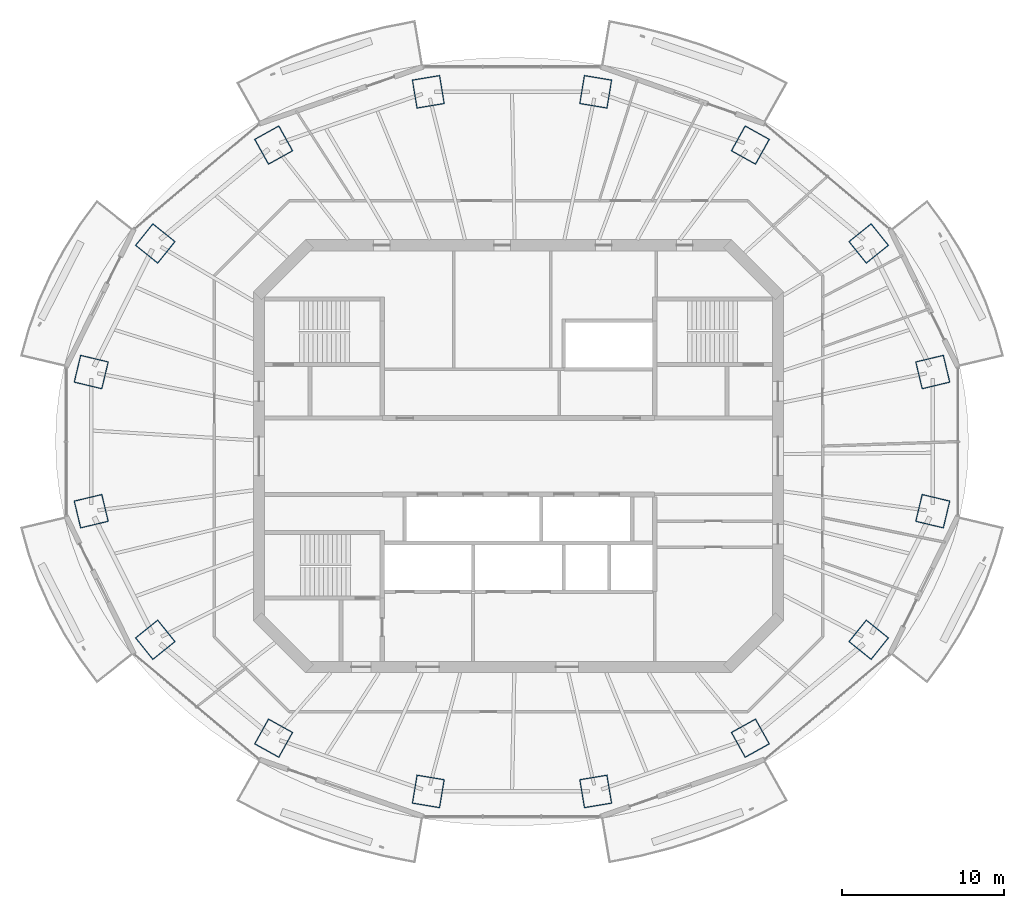
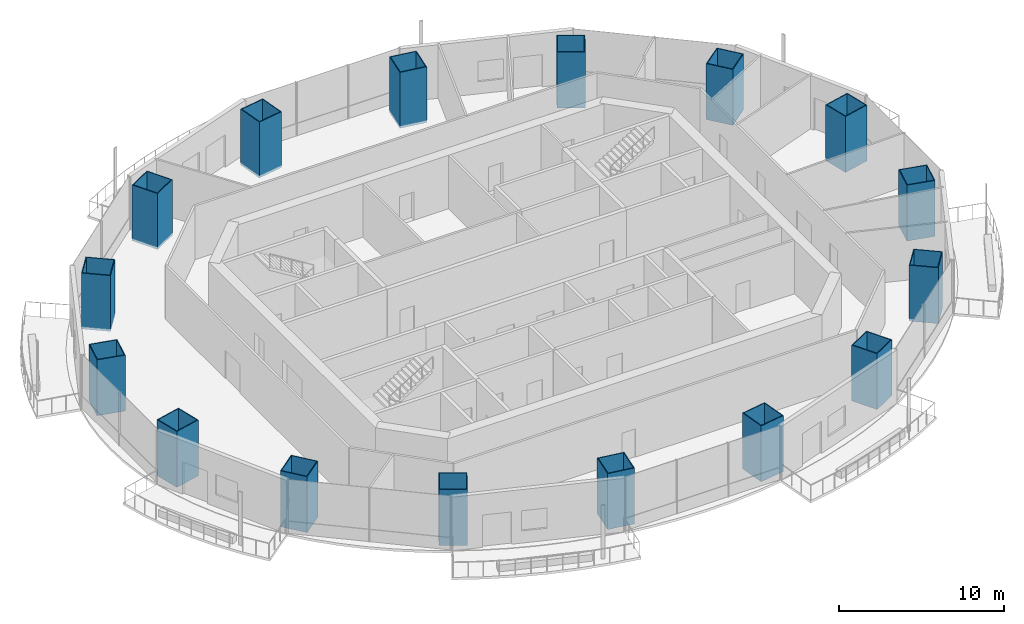
# One storey, part 1 of 16: 16 columns.
"""IFC4 building model written with IfcOpenShell, lengths in metres."""

from ifc_helpers import new_model, si_unit, direction, frame, origin, origin_2d, place, context, subcontext, project, spatial, rectangle, hollow_rectangle, extrude, material, material_profile, profile_set, type_object, element, save


model = new_model("IFC4")

# Units and contexts
model_context = context("Model", 3, precision=1e-05, world=origin(), true_north=direction((0.0, 1.0)))
body_context = subcontext(model_context, "Body", "Model", "MODEL_VIEW")
ifc_project = project(units=[si_unit("LENGTHUNIT", "METRE"), si_unit("AREAUNIT", "SQUARE_METRE"), si_unit("VOLUMEUNIT", "CUBIC_METRE"), si_unit("PLANEANGLEUNIT", "RADIAN"), si_unit("MASSUNIT", "GRAM", prefix="KILO")], contexts=[model_context])

# Site, building, storey
site_placement = place(None, origin())
site = spatial("IfcSite", under=ifc_project, at=site_placement, CompositionType="ELEMENT")
building_placement = place(site_placement, origin())
building = spatial("IfcBuilding", under=site, at=building_placement, Name="Marenthal Gate Tower", CompositionType="ELEMENT")
storey_placement = place(building_placement, frame((0.0, 0.0, 317.699951171875)))
storey = spatial("IfcBuildingStorey", under=building, at=storey_placement, Name="L71", CompositionType="ELEMENT", Elevation=317.699951171875)

# Columns
ifc_material_1 = material(Name="Steel S460", Category="steel")
ifc_material_profile_1 = material_profile(ifc_material_1, hollow_rectangle(XDim=1.75, YDim=1.800048828125, WallThickness=0.054931640625, at=origin_2d()), Name="CFT BOX 1800X1750X55")
ifc_material_2 = material(Name="Concrete 70 MPa", Category="concrete")
ifc_material_profile_2 = material_profile(ifc_material_2, rectangle(XDim=1.639892578125, YDim=1.68994140625, at=origin_2d()), Name="CFT BOX 1800X1750X55 INFILL")
ifc_profile_set = profile_set([ifc_material_profile_1, ifc_material_profile_2], Name="Steel S460 shell, Concrete 70 MPa infill")
column_type = type_object("IfcColumnType", Name="CFT BOX 1800X1750X55", PredefinedType="COLUMN", material=ifc_profile_set)
for number, where, z_axis, x_axis, name in (
    (1, (25.545654296875, 5.1904296875, -0.179931640625), (0.0, 0.0, 1.0), (0.232701963435, -0.97254809455, 0.0), "COL-L71-01"),
    (2, (21.595703125, 13.1181640625, -0.179931640625), (0.0, 0.0, 1.0), (0.626474583624, -0.779441849065, 0.0), "COL-L71-02"),
    (3, (14.297119140625, 19.185791015625, -0.179931640625), (0.0, 0.0, 1.0), (0.874186127954, -0.485590994245, 0.0), "COL-L71-03"),
    (4, (4.760986328125, 22.469482421875, -0.179931640625), (0.0, 0.0, 1.0), (0.986601791343, -0.163146882654, 0.0), "COL-L71-04"),
    (5, (-5.560791015625, 22.469482421875, -0.179931640625), (0.0, 0.0, 1.0), (0.986601791343, 0.163146882654, 0.0), "COL-L71-05"),
    (6, (-15.09716796875, 19.185791015625, -0.179931640625), (0.0, 0.0, 1.0), (0.874186127954, 0.485590994245, 0.0), "COL-L71-06"),
    (7, (-22.395751953125, 13.1181640625, -0.179931640625), (0.0, 0.0, 1.0), (0.626474583624, 0.779441849065, 0.0), "COL-L71-07"),
    (8, (-26.345703125, 5.1904296875, -0.179931640625), (0.0, 0.0, 1.0), (0.232701963435, 0.97254809455, 0.0), "COL-L71-08"),
    (9, (-26.345703125, -3.390380859375, -0.179931640625), (0.0, 0.0, 1.0), (-0.232701963435, 0.97254809455, 0.0), "COL-L71-09"),
    (10, (-22.395751953125, -11.318115234375, -0.179931640625), (0.0, 0.0, 1.0), (-0.626474583624, 0.779441849065, 0.0), "COL-L71-10"),
    (11, (-15.09716796875, -17.3857421875, -0.179931640625), (0.0, 0.0, 1.0), (-0.874186127954, 0.485590994245, 0.0), "COL-L71-11"),
    (12, (-5.560791015625, -20.66943359375, -0.179931640625), (0.0, 0.0, 1.0), (-0.986601791343, 0.163146882654, 0.0), "COL-L71-12"),
    (13, (4.760986328125, -20.66943359375, -0.179931640625), (0.0, 0.0, 1.0), (-0.986601791343, -0.163146882654, 0.0), "COL-L71-13"),
    (14, (14.297119140625, -17.3857421875, -0.179931640625), (0.0, 0.0, 1.0), (-0.874186127954, -0.485590994245, 0.0), "COL-L71-14"),
    (15, (21.595703125, -11.318115234375, -0.179931640625), (0.0, 0.0, 1.0), (-0.626474583624, -0.779441849065, 0.0), "COL-L71-15"),
    (16, (25.545654296875, -3.390380859375, -0.179931640625), (0.0, 0.0, 1.0), (-0.232701963435, -0.97254809455, 0.0), "COL-L71-16"),
):
    element("IfcColumn", number, at=place(storey_placement, frame(where, z_axis=z_axis, x_axis=x_axis)), inside=storey, type_object=column_type, Name=name, PredefinedType="COLUMN", context=body_context, shape_type="SweptSolid", body=[
        extrude(hollow_rectangle(XDim=1.75, YDim=1.800048828125, WallThickness=0.054931640625, at=origin_2d()), origin(), (0.0, 0.0, 1.0), 4.14990234375),
    ])

save(model, "model.ifc")
